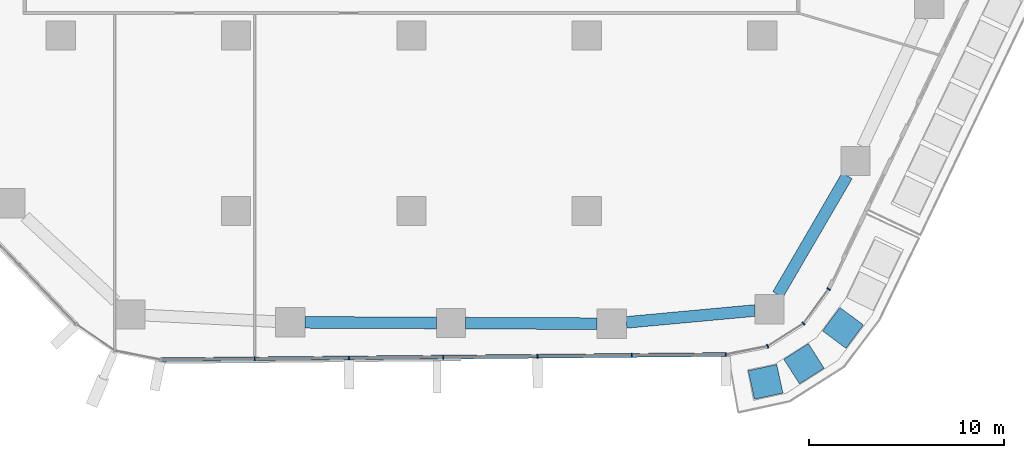
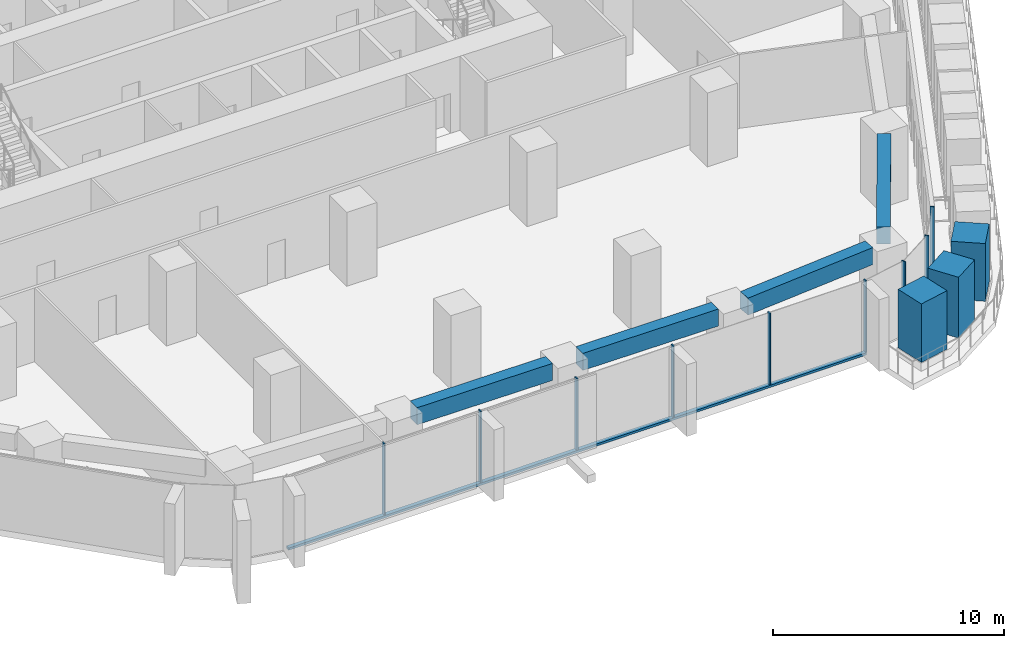
# One storey, part 4 of 23: 13 members, 4 beams, 2 elements without a shape of their own.
"""IFC4 building model written with IfcOpenShell, lengths in metres."""

from ifc_helpers import new_model, si_unit, direction, frame, origin, origin_2d, place, context, subcontext, project, spatial, rectangle, extrude, material, layer, layer_set, material_profile, profile_set, type_object, element, aggregate, save


model = new_model("IFC4")

# Units and contexts
model_context = context("Model", 3, precision=1e-05, world=origin(), true_north=direction((0.0, 1.0)))
body_context = subcontext(model_context, "Body", "Model", "MODEL_VIEW")
ifc_project = project(units=[si_unit("LENGTHUNIT", "METRE"), si_unit("AREAUNIT", "SQUARE_METRE"), si_unit("VOLUMEUNIT", "CUBIC_METRE"), si_unit("PLANEANGLEUNIT", "RADIAN"), si_unit("MASSUNIT", "GRAM", prefix="KILO")], contexts=[model_context])

# Site, building, storey
site_placement = place(None, origin())
site = spatial("IfcSite", under=ifc_project, at=site_placement, CompositionType="ELEMENT")
building_placement = place(site_placement, origin())
building = spatial("IfcBuilding", under=site, at=building_placement, Name="Dongbaek Canopy Tower", CompositionType="ELEMENT")
storey_placement = place(building_placement, frame((0.0, 0.0, 84.699951171875)))
storey = spatial("IfcBuildingStorey", under=building, at=storey_placement, Name="L17", CompositionType="ELEMENT", Elevation=84.699951171875)

# Curtain wall, members
ifc_material_1 = material(Name="Aluminium 6063-T6 pale anodised", Category="aluminium")
ifc_layer = layer(ifc_material_1, 0.199951171875)
ifc_layer_set = layer_set([ifc_layer], Name="CW-1 unitised tower curtain wall")
curtain_wall_type = type_object("IfcCurtainWallType", Name="CW-1 unitised tower curtain wall", PredefinedType="NOTDEFINED", material=ifc_layer_set)
curtain_wall_1_placement = place(storey_placement, origin())
curtain_wall_1 = element("IfcCurtainWall", 1, at=curtain_wall_1_placement, inside=storey, type_object=curtain_wall_type, Name="CW-1 curtain wall F4.1", PredefinedType="NOTDEFINED")
ifc_material_2 = material(Name="Aluminium 6063-T6 pale anodised", Category="aluminium")
ifc_material_profile_1 = material_profile(ifc_material_2, rectangle(XDim=0.199951171875, YDim=0.06005859375, at=origin_2d()), Name="CW-1 mullion 60 x 200")
ifc_profile_set_1 = profile_set([ifc_material_profile_1], Name="Aluminium 6063-T6 pale anodised")
member_type_1 = type_object("IfcMemberType", Name="CW-1 mullion 60 x 200", PredefinedType="MULLION", material=ifc_profile_set_1)
member_1_placement = place(storey_placement, frame((-8.046630859375, -34.590087890625, 0.1201171875), z_axis=(0.0, 0.0, 1.0), x_axis=(0.009200905705, -0.999957670771, 0.0)))
member_1 = element("IfcMember", 2, at=member_1_placement, type_object=member_type_1, Name="CW-1 mullion F4.1.2", PredefinedType="MULLION", context=body_context, shape_type="SweptSolid", body=[
    extrude(rectangle(XDim=0.199951171875, YDim=0.06005859375, at=origin_2d()), origin(), (0.0, 0.0, 1.0), 3.780029296875),
])
member_2_placement = place(storey_placement, frame((-3.20947265625, -34.545654296875, 0.1201171875), z_axis=(0.0, 0.0, 1.0), x_axis=(0.009200905705, -0.999957670771, 0.0)))
member_2 = element("IfcMember", 3, at=member_2_placement, type_object=member_type_1, Name="CW-1 mullion F4.1.3", PredefinedType="MULLION", context=body_context, shape_type="SweptSolid", body=[
    extrude(rectangle(XDim=0.199951171875, YDim=0.06005859375, at=origin_2d()), origin(), (0.0, 0.0, 1.0), 3.780029296875),
])
member_3_placement = place(storey_placement, frame((1.627685546875, -34.501220703125, 0.1201171875), z_axis=(0.0, 0.0, 1.0), x_axis=(0.009200905705, -0.999957670771, 0.0)))
member_3 = element("IfcMember", 4, at=member_3_placement, type_object=member_type_1, Name="CW-1 mullion F4.1.4", PredefinedType="MULLION", context=body_context, shape_type="SweptSolid", body=[
    extrude(rectangle(XDim=0.199951171875, YDim=0.06005859375, at=origin_2d()), origin(), (0.0, 0.0, 1.0), 3.780029296875),
])
member_4_placement = place(storey_placement, frame((6.46484375, -34.45654296875, 0.1201171875), z_axis=(0.0, 0.0, 1.0), x_axis=(0.009200905705, -0.999957670771, 0.0)))
member_4 = element("IfcMember", 5, at=member_4_placement, type_object=member_type_1, Name="CW-1 mullion F4.1.5", PredefinedType="MULLION", context=body_context, shape_type="SweptSolid", body=[
    extrude(rectangle(XDim=0.199951171875, YDim=0.06005859375, at=origin_2d()), origin(), (0.0, 0.0, 1.0), 3.780029296875),
])
member_5_placement = place(storey_placement, frame((11.30224609375, -34.412109375, 0.1201171875), z_axis=(0.0, 0.0, 1.0), x_axis=(0.009200905705, -0.999957670771, 0.0)))
member_5 = element("IfcMember", 6, at=member_5_placement, type_object=member_type_1, Name="CW-1 mullion F4.1.6", PredefinedType="MULLION", context=body_context, shape_type="SweptSolid", body=[
    extrude(rectangle(XDim=0.199951171875, YDim=0.06005859375, at=origin_2d()), origin(), (0.0, 0.0, 1.0), 3.780029296875),
])
member_6_placement = place(storey_placement, frame((16.130126953125, -34.36767578125, 0.1201171875), z_axis=(0.0, 0.0, 1.0), x_axis=(0.009200905705, -0.999957670771, 0.0)))
member_6 = element("IfcMember", 7, at=member_6_placement, type_object=member_type_1, Name="CW-1 mullion F4.1.7", PredefinedType="MULLION", context=body_context, shape_type="SweptSolid", body=[
    extrude(rectangle(XDim=0.199951171875, YDim=0.06005859375, at=origin_2d()), origin(), (0.0, 0.0, 1.0), 3.780029296875),
])

curtain_wall_2_placement = place(storey_placement, origin())
curtain_wall_2 = element("IfcCurtainWall", 8, at=curtain_wall_2_placement, inside=storey, type_object=curtain_wall_type, Name="CW-1 curtain wall K5.1", PredefinedType="NOTDEFINED")
member_7_placement = place(storey_placement, frame((18.277099609375, -33.943603515625, 0.0), z_axis=(0.0, 0.0, 1.0), x_axis=(0.371657973574, -0.92836972736, 0.0)))
member_7 = element("IfcMember", 9, at=member_7_placement, type_object=member_type_1, Name="CW-1 mullion K5.1.2", PredefinedType="MULLION", context=body_context, shape_type="SweptSolid", body=[
    extrude(rectangle(XDim=0.199951171875, YDim=0.06005859375, at=origin_2d()), origin(), (0.0, 0.0, 1.0), 3.900146484375),
])
member_8_placement = place(storey_placement, frame((20.11572265625, -32.77392578125, 0.0), z_axis=(0.0, 0.0, 1.0), x_axis=(0.683383743032, -0.730059353587, 0.0)))
member_8 = element("IfcMember", 10, at=member_8_placement, type_object=member_type_1, Name="CW-1 mullion K5.1.3", PredefinedType="MULLION", context=body_context, shape_type="SweptSolid", body=[
    extrude(rectangle(XDim=0.199951171875, YDim=0.06005859375, at=origin_2d()), origin(), (0.0, 0.0, 1.0), 3.900146484375),
])
member_9_placement = place(storey_placement, frame((21.409912109375, -31.0087890625, 0.0), z_axis=(0.0, 0.0, 1.0), x_axis=(0.806485803456, -0.591253455655, 0.0)))
member_9 = element("IfcMember", 11, at=member_9_placement, type_object=member_type_1, Name="CW-1 mullion K5.1.4", PredefinedType="MULLION", context=body_context, shape_type="SweptSolid", body=[
    extrude(rectangle(XDim=0.199951171875, YDim=0.06005859375, at=origin_2d()), origin(), (0.0, 0.0, 1.0), 3.900146484375),
])
aggregate(curtain_wall_2, [member_7, member_8, member_9])

# Member
ifc_material_3 = material(Name="Aluminium 6063-T6 pale anodised", Category="aluminium")
ifc_material_profile_2 = material_profile(ifc_material_3, rectangle(XDim=0.199951171875, YDim=0.1201171875, at=origin_2d()), Name="CW-1 transom 120 x 200")
ifc_profile_set_2 = profile_set([ifc_material_profile_2], Name="Aluminium 6063-T6 pale anodised")
member_type_2 = type_object("IfcMemberType", Name="CW-1 transom 120 x 200", PredefinedType="USERDEFINED", material=ifc_profile_set_2)
member_10_placement = place(storey_placement, frame((-12.87353515625, -34.634521484375, 0.06005859375), z_axis=(0.999957678877, 0.009200024773, 0.0), x_axis=(-0.009200024773, 0.999957678877, 0.0)))
member_10 = element("IfcMember", 12, at=member_10_placement, type_object=member_type_2, Name="CW-1 transom F4.1.1", ObjectType="TRANSOM", PredefinedType="USERDEFINED", context=body_context, shape_type="SweptSolid", body=[
    extrude(rectangle(XDim=0.199951171875, YDim=0.1201171875, at=origin_2d()), origin(), (0.0, 0.0, 1.0), 29.0048828125),
])

aggregate(curtain_wall_1, [member_1, member_2, member_3, member_4, member_5, member_6, member_10])

# Beams
ifc_material_4 = material(Name="Concrete C80", Category="concrete")
ifc_material_profile_3 = material_profile(ifc_material_4, rectangle(XDim=0.60009765625, YDim=0.89990234375, at=origin_2d()), Name="RC EDGE BEAM 600x900 C80")
ifc_profile_set_3 = profile_set([ifc_material_profile_3], Name="Concrete C80")
beam_type = type_object("IfcBeamType", Name="RC EDGE BEAM 600x900 C80", PredefinedType="BEAM", material=ifc_profile_set_3)
beam_1_placement = place(storey_placement, frame((17.617919921875, -32.1123046875, 3.449951171875), z_axis=(-0.995766471257, -0.091919174929, 0.0), x_axis=(0.091919174929, -0.995766471257, 0.0)))
element("IfcBeam", 13, at=beam_1_placement, inside=storey, type_object=beam_type, Name="EDGEBEAM:L17:00", PredefinedType="BEAM", context=body_context, shape_type="SweptSolid", body=[
    extrude(rectangle(XDim=0.60009765625, YDim=0.89990234375, at=origin_2d()), origin(), (0.0, 0.0, 1.0), 6.618896484375),
])
beam_2_placement = place(storey_placement, frame((9.527099609375, -32.78662109375, 3.449951171875), z_axis=(-0.999989942747, 0.004484908597, 0.0), x_axis=(-0.004484908597, -0.999989942747, 0.0)))
element("IfcBeam", 14, at=beam_2_placement, inside=storey, type_object=beam_type, Name="EDGEBEAM:L17:01", PredefinedType="BEAM", context=body_context, shape_type="SweptSolid", body=[
    extrude(rectangle(XDim=0.60009765625, YDim=0.89990234375, at=origin_2d()), origin(), (0.0, 0.0, 1.0), 6.75),
])
beam_3_placement = place(storey_placement, frame((1.277099609375, -32.749755859375, 3.449951171875), z_axis=(-0.999990420723, 0.004377038088, 0.0), x_axis=(-0.004377038088, -0.999990420723, 0.0)))
element("IfcBeam", 15, at=beam_3_placement, inside=storey, type_object=beam_type, Name="EDGEBEAM:L17:02", PredefinedType="BEAM", context=body_context, shape_type="SweptSolid", body=[
    extrude(rectangle(XDim=0.60009765625, YDim=0.89990234375, at=origin_2d()), origin(), (0.0, 0.0, 1.0), 6.7490234375),
])
beam_4_placement = place(storey_placement, frame((22.35546875, -25.193115234375, 3.449951171875), z_axis=(-0.503081510817, -0.864238967806, 0.0), x_axis=(0.864238967806, -0.503081510817, 0.0)))
element("IfcBeam", 16, at=beam_4_placement, inside=storey, type_object=beam_type, Name="EDGEBEAM:L17:25", PredefinedType="BEAM", context=body_context, shape_type="SweptSolid", body=[
    extrude(rectangle(XDim=0.60009765625, YDim=0.89990234375, at=origin_2d()), origin(), (0.0, 0.0, 1.0), 7.05810546875),
])

# Members
ifc_material_5 = material(Name="Concrete C40/50 planter mass with planting", Category="concrete")
ifc_material_profile_4 = material_profile(ifc_material_5, rectangle(XDim=1.5, YDim=1.5, at=origin_2d()), Name="Terrace PLANTER shrub mass 1500 x 1500")
ifc_profile_set_4 = profile_set([ifc_material_profile_4], Name="Concrete C40/50 planter mass with planting")
member_type_3 = type_object("IfcMemberType", Name="Terrace PLANTER shrub mass 1500 x 1500", PredefinedType="USERDEFINED", material=ifc_profile_set_4)
member_11_placement = place(storey_placement, frame((18.17138671875, -35.774169921875, 0.420166015625), z_axis=(0.0, 0.0, 1.0), x_axis=(0.211800272342, -0.977312971691, 0.0)))
element("IfcMember", 17, at=member_11_placement, inside=storey, type_object=member_type_3, Name="Planter shrubs L17 7.1", ObjectType="PLANTER", PredefinedType="USERDEFINED", context=body_context, shape_type="SweptSolid", body=[
    extrude(rectangle(XDim=1.5, YDim=1.5, at=origin_2d()), origin(), (0.0, 0.0, 1.0), 3.08984375),
])
member_12_placement = place(storey_placement, frame((20.1416015625, -34.844482421875, 0.420166015625), z_axis=(0.0, 0.0, 1.0), x_axis=(0.536758797814, -0.843735736454, 0.0)))
element("IfcMember", 18, at=member_12_placement, inside=storey, type_object=member_type_3, Name="Planter shrubs L17 7.2", ObjectType="PLANTER", PredefinedType="USERDEFINED", context=body_context, shape_type="SweptSolid", body=[
    extrude(rectangle(XDim=1.5, YDim=1.5, at=origin_2d()), origin(), (0.0, 0.0, 1.0), 3.2099609375),
])
member_13_placement = place(storey_placement, frame((22.14306640625, -33.00537109375, 0.420166015625), z_axis=(0.0, 0.0, 1.0), x_axis=(0.801660471684, -0.597779631753, 0.0)))
element("IfcMember", 19, at=member_13_placement, inside=storey, type_object=member_type_3, Name="Planter shrubs L17 7.3", ObjectType="PLANTER", PredefinedType="USERDEFINED", context=body_context, shape_type="SweptSolid", body=[
    extrude(rectangle(XDim=1.5, YDim=1.5, at=origin_2d()), origin(), (0.0, 0.0, 1.0), 3.0498046875),
])

save(model, "model.ifc")
